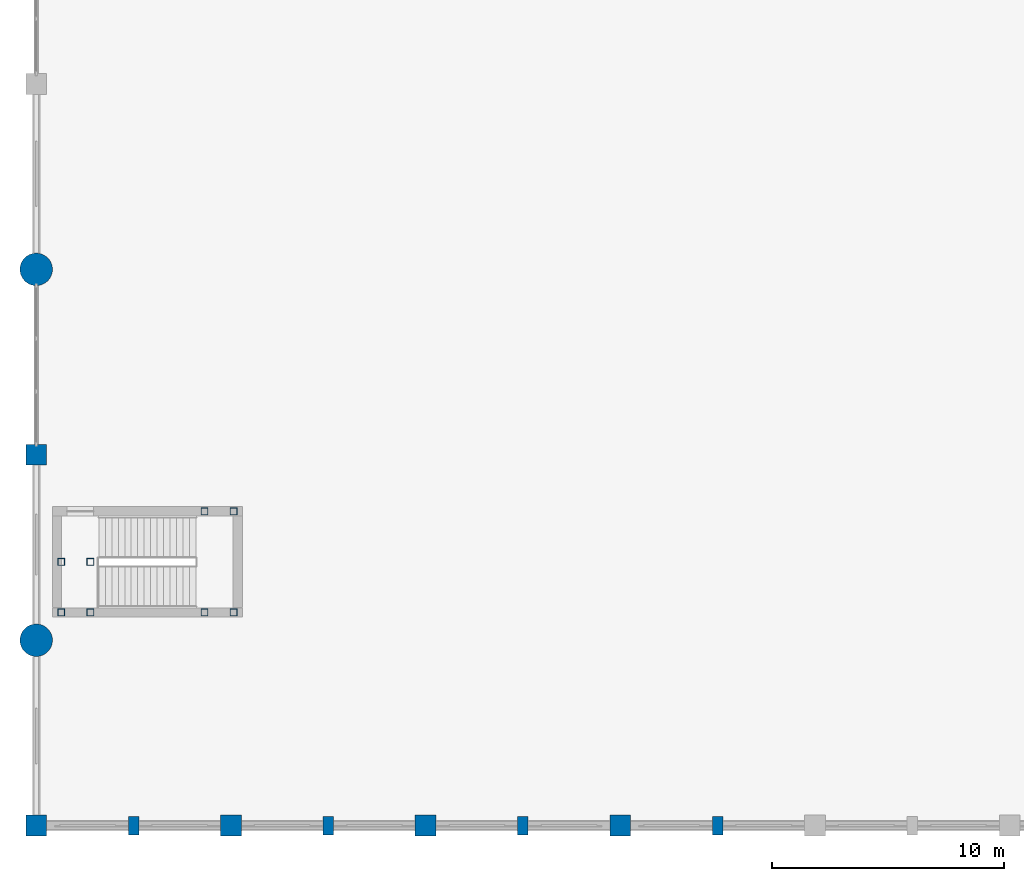
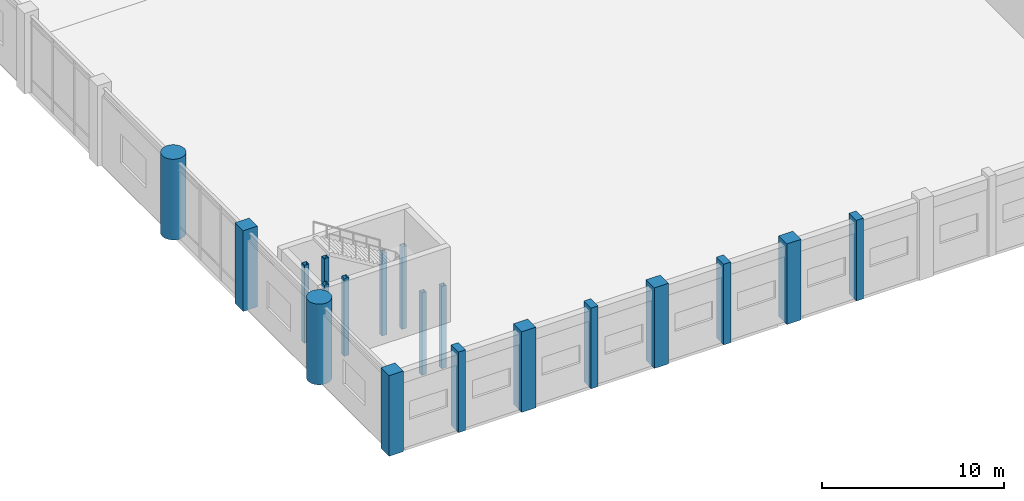
# One storey, part 1 of 79: 19 columns.
"""IFC4 building model written with IfcOpenShell, lengths in metres."""

import ifcopenshell
import ifcopenshell.guid

model = None  # the IFC model being written
_history = None  # IfcOwnerHistory: only IFC2X3 demands one
_inside = {}  # id of a spatial element -> (the spatial element, [elements in it])
_under = {}  # id of a project, library or spatial element -> (it, [spatial elements below it])
_declared = {}  # id of a project -> (the project, [libraries it declares])
_typed = {}  # id of a type object -> (the type object, [elements of that type])
_made_of = {}  # id of a material, layer set ... -> (it, [elements and type objects made of it])


def new_model(schema):
    """Start an empty IFC model of exactly this schema.

    Asked for "IFC4X3", IfcOpenShell would pick the latest addendum, in which some entities
    have other attributes; the version numbers below select the first issue.
    IFC2X3 requires an IfcOwnerHistory on every rooted entity: one is made here for all.
    """
    global model, _history
    if schema == "IFC4X3":
        model = ifcopenshell.file(schema_version=(4, 3, 0, 0))
    else:
        model = ifcopenshell.file(schema=schema)
    _inside.clear()
    _under.clear()
    _declared.clear()
    _typed.clear()
    _made_of.clear()
    _history = None
    if model.schema == "IFC2X3":
        org = make("IfcOrganization", Name="unknown")
        user = make(
            "IfcPersonAndOrganization",
            ThePerson=make("IfcPerson", FamilyName="unknown"),
            TheOrganization=org,
        )
        app = make(
            "IfcApplication",
            ApplicationDeveloper=org,
            Version="unknown",
            ApplicationFullName="unknown",
            ApplicationIdentifier="unknown",
        )
        _history = make(
            "IfcOwnerHistory",
            OwningUser=user,
            OwningApplication=app,
            ChangeAction="ADDED",
            CreationDate=0,
        )
    return model


def make(cls, **values):
    """One entity of the class cls with the attributes given. An attribute that is None is left unset."""
    return model.create_entity(
        cls, **{name: value for name, value in values.items() if value is not None}
    )


def rooted(cls, **values):
    """An entity with a GlobalId (a new one), such as an element, a storey or a relation."""
    return make(cls, GlobalId=ifcopenshell.guid.new(), OwnerHistory=_history, **values)


def si_unit(unit_type, name, prefix=None):
    """IfcSIUnit, for example si_unit("LENGTHUNIT", "METRE", prefix="MILLI")."""
    return make("IfcSIUnit", UnitType=unit_type, Prefix=prefix, Name=name)


def assignment(units):
    """IfcUnitAssignment: the units of a project."""
    return None if units is None else make("IfcUnitAssignment", Units=units)


def point(xyz):
    """IfcCartesianPoint."""
    return None if xyz is None else make("IfcCartesianPoint", Coordinates=xyz)


def direction(xyz):
    """IfcDirection."""
    return None if xyz is None else make("IfcDirection", DirectionRatios=xyz)


def frame(location, z_axis=None, x_axis=None):
    """IfcAxis2Placement3D, a coordinate frame: its origin and axes. An axis left out is left unset."""
    return make(
        "IfcAxis2Placement3D",
        Location=point(location),
        Axis=direction(z_axis),
        RefDirection=direction(x_axis),
    )


def frame_2d(location, x_axis=None):
    """IfcAxis2Placement2D, a coordinate frame in the plane: its origin and x axis."""
    return make(
        "IfcAxis2Placement2D", Location=point(location), RefDirection=direction(x_axis)
    )


def origin():
    """The frame at (0, 0, 0) with its axes left unset."""
    return frame((0.0, 0.0, 0.0))


def origin_2d():
    """The frame at (0, 0) in the plane with its x axis left unset."""
    return frame_2d((0.0, 0.0))


def place(relative_to, where):
    """IfcLocalPlacement: puts the frame where relative to a parent placement (None: the world)."""
    return make(
        "IfcLocalPlacement", PlacementRelTo=relative_to, RelativePlacement=where
    )


def context(
    kind, dimensions, precision=None, world=None, true_north=None, identifier=None
):
    """IfcGeometricRepresentationContext, for example the 3D "Model" context."""
    return make(
        "IfcGeometricRepresentationContext",
        ContextIdentifier=identifier,
        ContextType=kind,
        CoordinateSpaceDimension=dimensions,
        Precision=precision,
        WorldCoordinateSystem=world,
        TrueNorth=true_north,
    )


def subcontext(parent, identifier, kind, view, scale=None):
    """IfcGeometricRepresentationSubContext, for example "Body" below "Model"."""
    return make(
        "IfcGeometricRepresentationSubContext",
        ContextIdentifier=identifier,
        ContextType=kind,
        ParentContext=parent,
        TargetScale=scale,
        TargetView=view,
    )


def project(units=None, contexts=None):
    """IfcProject with its units and contexts."""
    return rooted(
        "IfcProject",
        Name="project",
        RepresentationContexts=contexts,
        UnitsInContext=assignment(units),
    )


def spatial(cls, under=None, at=None, **own):
    """A site, building, storey or space (cls), placed at a placement, below another one or the project."""
    s = rooted(cls, ObjectPlacement=at, **own)
    if under is not None:
        _under.setdefault(under.id(), (under, []))[1].append(s)
    return s


def profile(cls, at=None, kind="AREA", **sizes):
    """A parametric profile (cls). Its sizes go by their IFC names, for example OverallWidth=200.0."""
    return make(cls, ProfileType=kind, Position=at, **sizes)


def rectangle(**sizes):
    """IfcRectangleProfileDef."""
    return profile("IfcRectangleProfileDef", **sizes)


def hollow_rectangle(**sizes):
    """IfcRectangleHollowProfileDef."""
    return profile("IfcRectangleHollowProfileDef", **sizes)


def circle(**sizes):
    """IfcCircleProfileDef."""
    return profile("IfcCircleProfileDef", **sizes)


def extrude(swept, where, along, depth):
    """IfcExtrudedAreaSolid: the profile swept, set in the frame where, extruded along a direction by depth."""
    return make(
        "IfcExtrudedAreaSolid",
        SweptArea=swept,
        Position=where,
        ExtrudedDirection=direction(along),
        Depth=depth,
    )


def shape(context_of_items, identifier, shape_type, items):
    """IfcShapeRepresentation: the items that make up one representation, for example the "Body"."""
    return make(
        "IfcShapeRepresentation",
        ContextOfItems=context_of_items,
        RepresentationIdentifier=identifier,
        RepresentationType=shape_type,
        Items=items,
    )


def material(Name=None, Category=None):
    """IfcMaterial."""
    return make("IfcMaterial", Name=Name, Category=Category)


def material_profile(
    of_material, cross_section, Name=None, Category=None, Priority=None
):
    """IfcMaterialProfile: a cross section and its material."""
    return make(
        "IfcMaterialProfile",
        Name=Name,
        Material=of_material,
        Profile=cross_section,
        Priority=Priority,
        Category=Category,
    )


def profile_set(profiles, Name=None, composite=None):
    """IfcMaterialProfileSet."""
    return make(
        "IfcMaterialProfileSet",
        Name=Name,
        MaterialProfiles=profiles,
        CompositeProfile=composite,
    )


def made_of(thing, what):
    """Note that an element or type object is made of a material, layer set ...; save() writes the relation."""
    if what is not None:
        _made_of.setdefault(what.id(), (what, []))[1].append(thing)
    return thing


def type_object(cls, material=None, **own):
    """A type object (cls), such as IfcWallType, which elements share."""
    return made_of(rooted(cls, **own), material)


def element(
    cls,
    number,
    at=None,
    inside=None,
    cuts=None,
    type_object=None,
    material=None,
    context=None,
    identifier="Body",
    shape_type=None,
    held_by="IfcProductDefinitionShape",
    body=None,
    shapes=None,
    **own,
):
    """One element of the class cls, such as IfcWall. Its Tag is "e" and its number.

    at: its placement. inside: the storey or other place that contains it. cuts: it is an
    opening in that element (IfcRelVoidsElement). A single representation is given by context,
    identifier, shape_type and body (its items); several are given by shapes. held_by: the class
    of the entity that holds the representations. save() writes the other relations.
    """
    e = rooted(cls, Tag="e%d" % number, ObjectPlacement=at, **own)
    if body is not None:
        shapes = [shape(context, identifier, shape_type, body)]
    if shapes is not None:
        e.Representation = make(held_by, Representations=shapes)
    if inside is not None:
        _inside.setdefault(inside.id(), (inside, []))[1].append(e)
    if cuts is not None:
        rooted(
            "IfcRelVoidsElement", RelatingBuildingElement=cuts, RelatedOpeningElement=e
        )
    if type_object is not None:
        _typed.setdefault(type_object.id(), (type_object, []))[1].append(e)
    return made_of(e, material)


def aggregate(whole, parts):
    """IfcRelAggregates: a whole, such as a stair, and the parts it consists of."""
    return rooted("IfcRelAggregates", RelatingObject=whole, RelatedObjects=parts)


def save(model, path):
    """Write the relations noted so far, then the file.

    IfcRelAggregates (storeys below a building ...), IfcRelContainedInSpatialStructure (elements
    in a storey), IfcRelDefinesByType, IfcRelAssociatesMaterial and IfcRelDeclares: one each for
    every whole, place, type object, material and project.
    """
    for whole, parts in _under.values():
        aggregate(whole, parts)
    for where, things in _inside.values():
        rooted(
            "IfcRelContainedInSpatialStructure",
            RelatedElements=things,
            RelatingStructure=where,
        )
    for kind, things in _typed.values():
        rooted("IfcRelDefinesByType", RelatedObjects=things, RelatingType=kind)
    for what, things in _made_of.values():
        rooted("IfcRelAssociatesMaterial", RelatedObjects=things, RelatingMaterial=what)
    for by, libraries in _declared.values():
        rooted("IfcRelDeclares", RelatingContext=by, RelatedDefinitions=libraries)
    model.write(path)


model = new_model("IFC4")

# Units and contexts
model_context = context("Model", 3, precision=1e-05, world=origin(), true_north=direction((0.0, 1.0)))
body_context = subcontext(model_context, "Body", "Model", "MODEL_VIEW")
ifc_project = project(units=[si_unit("LENGTHUNIT", "METRE"), si_unit("AREAUNIT", "SQUARE_METRE"), si_unit("VOLUMEUNIT", "CUBIC_METRE"), si_unit("PLANEANGLEUNIT", "RADIAN"), si_unit("MASSUNIT", "GRAM", prefix="KILO")], contexts=[model_context])

# Site, building, storey
site_placement = place(None, origin())
site = spatial("IfcSite", under=ifc_project, at=site_placement, CompositionType="ELEMENT")
building_placement = place(site_placement, origin())
building = spatial("IfcBuilding", under=site, at=building_placement, Name="Naruveol Harbour Congress Hotel", CompositionType="ELEMENT")
storey_placement = place(building_placement, frame((0.0, 0.0, 6.0)))
storey = spatial("IfcBuildingStorey", under=building, at=storey_placement, Name="L01", CompositionType="ELEMENT", Elevation=6.0)

# Columns
ifc_material_1 = material(Name="Concrete C50/60", Category="concrete")
ifc_material_profile_1 = material_profile(ifc_material_1, rectangle(XDim=0.449951171875, YDim=0.800048828125, at=origin_2d()), Name="RC-450x800")
ifc_profile_set_1 = profile_set([ifc_material_profile_1], Name="Concrete C50/60")
column_type_1 = type_object("IfcColumnType", Name="RC ACOUSTIC WALL PILASTER 450X800", PredefinedType="PILASTER", material=ifc_profile_set_1)
for number, where, z_axis, x_axis, name in (
    (1, (4.199951171875, 0.0, 0.0), (0.0, 0.0, 1.0), (1.0, 0.0, 0.0), "Column PL-450 L01 (4.2,0.0)"),
    (2, (12.60009765625, 0.0, 0.0), (0.0, 0.0, 1.0), (1.0, 0.0, 0.0), "Column PL-450 L01 (12.6,0.0)"),
    (3, (21.0, 0.0, 0.0), (0.0, 0.0, 1.0), (1.0, 0.0, 0.0), "Column PL-450 L01 (21.0,0.0)"),
    (4, (29.39990234375, 0.0, 0.0), (0.0, 0.0, 1.0), (1.0, 0.0, 0.0), "Column PL-450 L01 (29.4,0.0)"),
):
    element("IfcColumn", number, at=place(storey_placement, frame(where, z_axis=z_axis, x_axis=x_axis)), inside=storey, type_object=column_type_1, Name=name, PredefinedType="PILASTER", context=body_context, shape_type="SweptSolid", body=[
        extrude(rectangle(XDim=0.449951171875, YDim=0.800048828125, at=origin_2d()), origin(), (0.0, 0.0, 1.0), 5.39990234375),
    ])
ifc_material_2 = material(Name="Concrete C50/60", Category="concrete")
ifc_material_profile_2 = material_profile(ifc_material_2, circle(Radius=0.699951171875, at=origin_2d()), Name="RC-D1400")
ifc_profile_set_2 = profile_set([ifc_material_profile_2], Name="Concrete C50/60")
column_type_2 = type_object("IfcColumnType", Name="RC MEGA COLUMN D1400", PredefinedType="COLUMN", material=ifc_profile_set_2)
for number, where, z_axis, x_axis, name in (
    (5, (0.0, 8.0, 0.0), (0.0, 0.0, 1.0), (1.0, 0.0, 0.0), "Column C-MD1400 L01 (0.0,8.0)"),
    (6, (0.0, 24.0, 0.0), (0.0, 0.0, 1.0), (1.0, 0.0, 0.0), "Column C-MD1400 L01 (0.0,24.0)"),
):
    element("IfcColumn", number, at=place(storey_placement, frame(where, z_axis=z_axis, x_axis=x_axis)), inside=storey, type_object=column_type_2, Name=name, PredefinedType="COLUMN", context=body_context, shape_type="SweptSolid", body=[
        extrude(circle(Radius=0.699951171875, at=origin_2d()), origin(), (0.0, 0.0, 1.0), 5.39990234375),
    ])
ifc_material_3 = material(Name="Concrete C50/60", Category="concrete")
ifc_material_profile_3 = material_profile(ifc_material_3, rectangle(XDim=0.89990234375, YDim=0.89990234375, at=origin_2d()), Name="RC-900x900")
ifc_profile_set_3 = profile_set([ifc_material_profile_3], Name="Concrete C50/60")
column_type_3 = type_object("IfcColumnType", Name="RC PRIMARY COLUMN 900X900", PredefinedType="COLUMN", material=ifc_profile_set_3)
for number, where, z_axis, x_axis, name in (
    (7, (0.0, 0.0, 0.0), (0.0, 0.0, 1.0), (1.0, 0.0, 0.0), "Column C-900 L01 (0.0,0.0)"),
    (8, (0.0, 16.0, 0.0), (0.0, 0.0, 1.0), (1.0, 0.0, 0.0), "Column C-900 L01 (0.0,16.0)"),
    (9, (8.39990234375, 0.0, 0.0), (0.0, 0.0, 1.0), (1.0, 0.0, 0.0), "Column C-900 L01 (8.4,0.0)"),
    (10, (16.800048828125, 0.0, 0.0), (0.0, 0.0, 1.0), (1.0, 0.0, 0.0), "Column C-900 L01 (16.8,0.0)"),
    (11, (25.199951171875, 0.0, 0.0), (0.0, 0.0, 1.0), (1.0, 0.0, 0.0), "Column C-900 L01 (25.2,0.0)"),
):
    element("IfcColumn", number, at=place(storey_placement, frame(where, z_axis=z_axis, x_axis=x_axis)), inside=storey, type_object=column_type_3, Name=name, PredefinedType="COLUMN", context=body_context, shape_type="SweptSolid", body=[
        extrude(rectangle(XDim=0.89990234375, YDim=0.89990234375, at=origin_2d()), origin(), (0.0, 0.0, 1.0), 5.39990234375),
    ])
ifc_material_4 = material(Name="Steel SN490", Category="steel")
ifc_material_profile_4 = material_profile(ifc_material_4, hollow_rectangle(XDim=0.300048828125, YDim=0.300048828125, WallThickness=0.011962890625, at=origin_2d()), Name="SHS-300x300x12")
ifc_profile_set_4 = profile_set([ifc_material_profile_4], Name="Steel SN490")
column_type_4 = type_object("IfcColumnType", Name="STEEL COLONNADE POST SHS300", PredefinedType="COLUMN", material=ifc_profile_set_4)
for number, where, z_axis, x_axis, name in (
    (12, (1.080078125, 9.199951171875, 0.0), (0.0, 0.0, 1.0), (1.0, 0.0, 0.0), "Stair landing support post ST5W #339"),
    (13, (1.080078125, 11.3798828125, 0.0), (0.0, 0.0, 1.0), (1.0, 0.0, 0.0), "Stair landing support post ST5W #342"),
    (14, (2.340087890625, 9.199951171875, 0.0), (0.0, 0.0, 1.0), (1.0, 0.0, 0.0), "Stair landing support post ST5W #345"),
    (15, (2.340087890625, 11.3798828125, 0.0), (0.0, 0.0, 1.0), (1.0, 0.0, 0.0), "Stair landing support post ST5W #348"),
):
    element("IfcColumn", number, at=place(storey_placement, frame(where, z_axis=z_axis, x_axis=x_axis)), inside=storey, type_object=column_type_4, Name=name, PredefinedType="COLUMN", context=body_context, shape_type="SweptSolid", body=[
        extrude(hollow_rectangle(XDim=0.300048828125, YDim=0.300048828125, WallThickness=0.011962890625, at=origin_2d()), origin(), (0.0, 0.0, 1.0), 5.219970703125),
    ])
for number, where, z_axis, x_axis, name in (
    (16, (7.260009765625, 9.199951171875, -3.0), (0.0, 0.0, 1.0), (1.0, 0.0, 0.0), "Stair landing support post ST5E #351"),
    (17, (7.260009765625, 13.56005859375, -3.0), (0.0, 0.0, 1.0), (1.0, 0.0, 0.0), "Stair landing support post ST5E #354"),
    (18, (8.52001953125, 9.199951171875, -3.0), (0.0, 0.0, 1.0), (1.0, 0.0, 0.0), "Stair landing support post ST5E #357"),
    (19, (8.52001953125, 13.56005859375, -3.0), (0.0, 0.0, 1.0), (1.0, 0.0, 0.0), "Stair landing support post ST5E #360"),
):
    element("IfcColumn", number, at=place(storey_placement, frame(where, z_axis=z_axis, x_axis=x_axis)), inside=storey, type_object=column_type_4, Name=name, PredefinedType="COLUMN", context=body_context, shape_type="SweptSolid", body=[
        extrude(hollow_rectangle(XDim=0.300048828125, YDim=0.300048828125, WallThickness=0.011962890625, at=origin_2d()), origin(), (0.0, 0.0, 1.0), 5.52001953125),
    ])

save(model, "model.ifc")
